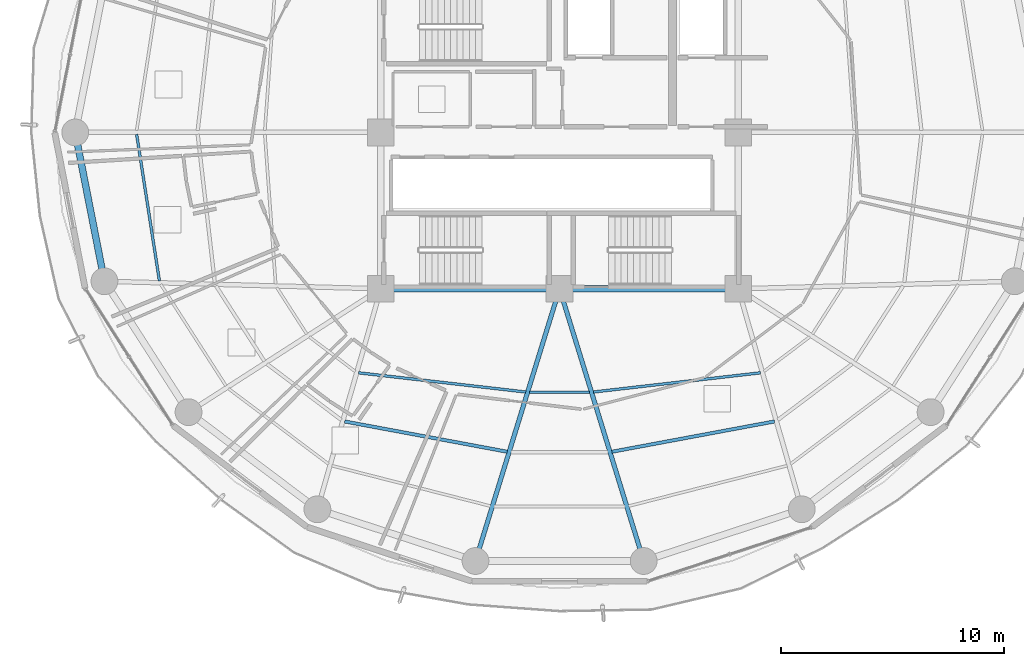
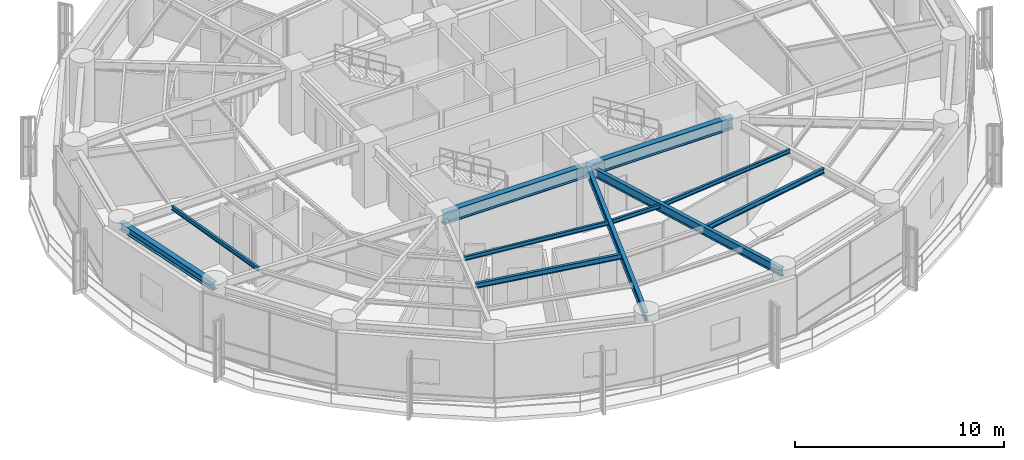
# One storey, part 5 of 27: 11 beams.
"""IFC4 building model written with IfcOpenShell, lengths in metres."""

from ifc_helpers import new_model, si_unit, direction, frame, origin, origin_2d, place, context, subcontext, project, spatial, i_section, extrude, material, material_profile, profile_set, type_object, element, save


model = new_model("IFC4")

# Units and contexts
model_context = context("Model", 3, precision=1e-05, world=origin(), true_north=direction((0.0, 1.0)))
body_context = subcontext(model_context, "Body", "Model", "MODEL_VIEW")
ifc_project = project(units=[si_unit("LENGTHUNIT", "METRE"), si_unit("AREAUNIT", "SQUARE_METRE"), si_unit("VOLUMEUNIT", "CUBIC_METRE"), si_unit("PLANEANGLEUNIT", "RADIAN"), si_unit("MASSUNIT", "GRAM", prefix="KILO")], contexts=[model_context])

# Site, building, storey
site_placement = place(None, origin())
site = spatial("IfcSite", under=ifc_project, at=site_placement, CompositionType="ELEMENT")
building_placement = place(site_placement, origin())
building = spatial("IfcBuilding", under=site, at=building_placement, Name="Kelanora Arch Commons", CompositionType="ELEMENT")
storey_placement = place(building_placement, frame((0.0, 0.0, 146.85009765625)))
storey = spatial("IfcBuildingStorey", under=building, at=storey_placement, Name="L37", CompositionType="ELEMENT", Elevation=146.85009765625)

# Beams
ifc_material = material(Name="Steel S355", Category="steel")
ifc_material_profile_1 = material_profile(ifc_material, i_section(OverallWidth=0.300048828125, OverallDepth=0.699951171875, WebThickness=0.01708984375, FlangeThickness=0.031982421875, FilletRadius=0.027099609375, at=origin_2d()), Name="HEB700")
ifc_profile_set_1 = profile_set([ifc_material_profile_1], Name="Steel S355")
beam_type_1 = type_object("IfcBeamType", Name="BM-CORE-HDR", PredefinedType="BEAM", material=ifc_profile_set_1)
for number, where, z_axis, x_axis, name in (
    (1, (66.0, 51.0, 3.139892578125), (1.0, 0.0, 0.0), (0.0, 1.0, 0.0), "Core Header Beam 01 L37"),
    (2, (74.0, 51.0, 3.139892578125), (1.0, 0.0, 0.0), (0.0, 1.0, 0.0), "Core Header Beam 02 L37"),
):
    element("IfcBeam", number, at=place(storey_placement, frame(where, z_axis=z_axis, x_axis=x_axis)), inside=storey, type_object=beam_type_1, Name=name, PredefinedType="BEAM", context=body_context, shape_type="SweptSolid", body=[
        extrude(i_section(OverallWidth=0.300048828125, OverallDepth=0.699951171875, WebThickness=0.01708984375, FlangeThickness=0.031982421875, FilletRadius=0.027099609375, at=origin_2d()), origin(), (0.0, 0.0, 1.0), 8.0),
    ])
ifc_material_profile_2 = material_profile(ifc_material, i_section(OverallWidth=0.14990234375, OverallDepth=0.300048828125, WebThickness=0.007080078125, FlangeThickness=0.0107421875, FilletRadius=0.014892578125, at=origin_2d()), Name="IPE300")
ifc_profile_set_2 = profile_set([ifc_material_profile_2], Name="Steel S355")
beam_type_2 = type_object("IfcBeamType", Name="BM-JST-01", PredefinedType="JOIST", material=ifc_profile_set_2)
for number, where, z_axis, x_axis, name in (
    (3, (64.379638671875, 45.062255859375, 3.33984375), (0.983054256126, -0.183314837134, 0.0), (0.183314837134, 0.983054256126, 0.0), "Secondary Chord Joist BJB-24 L37"),
    (4, (76.34228515625, 43.705078125, 3.33984375), (0.983054256126, 0.183314837134, 0.0), (-0.183314837134, 0.983054256126, 0.0), "Secondary Chord Joist BJB-28 L37"),
):
    element("IfcBeam", number, at=place(storey_placement, frame(where, z_axis=z_axis, x_axis=x_axis)), inside=storey, type_object=beam_type_2, Name=name, PredefinedType="JOIST", context=body_context, shape_type="SweptSolid", body=[
        extrude(i_section(OverallWidth=0.14990234375, OverallDepth=0.300048828125, WebThickness=0.007080078125, FlangeThickness=0.0107421875, FilletRadius=0.014892578125, at=origin_2d()), origin(), (0.0, 0.0, 1.0), 7.403564453125),
    ])
ifc_material_profile_3 = material_profile(ifc_material, i_section(OverallWidth=0.1201171875, OverallDepth=0.239990234375, WebThickness=0.006103515625, FlangeThickness=0.009765625, FilletRadius=0.014892578125, at=origin_2d()), Name="IPE240")
ifc_profile_set_3 = profile_set([ifc_material_profile_3], Name="Steel S355")
beam_type_3 = type_object("IfcBeamType", Name="BM-JST-02", PredefinedType="JOIST", material=ifc_profile_set_3)
beam_1_placement = place(storey_placement, frame((55.069091796875, 57.916015625, 3.369873046875), z_axis=(0.153562625853, -0.988138917329, 0.0), x_axis=(0.988138917329, 0.153562625853, 0.0)))
element("IfcBeam", 5, at=beam_1_placement, inside=storey, type_object=beam_type_3, Name="Secondary Chord Joist BJC-18 L37", PredefinedType="JOIST", context=body_context, shape_type="SweptSolid", body=[
    extrude(i_section(OverallWidth=0.1201171875, OverallDepth=0.239990234375, WebThickness=0.006103515625, FlangeThickness=0.009765625, FilletRadius=0.014892578125, at=origin_2d()), origin(), (0.0, 0.0, 1.0), 6.640869140625),
])
beam_2_placement = place(storey_placement, frame((65.005126953125, 47.239501953125, 3.369873046875), z_axis=(0.993457414184, -0.114203179475, 0.0), x_axis=(0.114203179475, 0.993457414184, 0.0)))
element("IfcBeam", 6, at=beam_2_placement, inside=storey, type_object=beam_type_3, Name="Secondary Chord Joist BJA-24 L37", PredefinedType="JOIST", context=body_context, shape_type="SweptSolid", body=[
    extrude(i_section(OverallWidth=0.1201171875, OverallDepth=0.239990234375, WebThickness=0.006103515625, FlangeThickness=0.009765625, FilletRadius=0.014892578125, at=origin_2d()), origin(), (0.0, 0.0, 1.0), 7.529296875),
])
beam_3_placement = place(storey_placement, frame((72.654296875, 46.3701171875, 3.369873046875), z_axis=(1.0, 0.0, 0.0), x_axis=(0.0, 1.0, 0.0)))
element("IfcBeam", 7, at=beam_3_placement, inside=storey, type_object=beam_type_3, Name="Secondary Chord Joist BJA-26 L37", PredefinedType="JOIST", context=body_context, shape_type="SweptSolid", body=[
    extrude(i_section(OverallWidth=0.1201171875, OverallDepth=0.239990234375, WebThickness=0.006103515625, FlangeThickness=0.009765625, FilletRadius=0.014892578125, at=origin_2d()), origin(), (0.0, 0.0, 1.0), 2.69140625),
])
beam_4_placement = place(storey_placement, frame((75.514892578125, 46.379638671875, 3.369873046875), z_axis=(0.993457414184, 0.114203179475, 0.0), x_axis=(-0.114203179475, 0.993457414184, 0.0)))
element("IfcBeam", 8, at=beam_4_placement, inside=storey, type_object=beam_type_3, Name="Secondary Chord Joist BJA-28 L37", PredefinedType="JOIST", context=body_context, shape_type="SweptSolid", body=[
    extrude(i_section(OverallWidth=0.1201171875, OverallDepth=0.239990234375, WebThickness=0.006103515625, FlangeThickness=0.009765625, FilletRadius=0.014892578125, at=origin_2d()), origin(), (0.0, 0.0, 1.0), 7.529296875),
])
ifc_material_profile_4 = material_profile(ifc_material, i_section(OverallWidth=0.199951171875, OverallDepth=0.5, WebThickness=0.01025390625, FlangeThickness=0.01611328125, FilletRadius=0.02099609375, at=origin_2d()), Name="IPE500")
ifc_profile_set_4 = profile_set([ifc_material_profile_4], Name="Steel S355")
beam_type_4 = type_object("IfcBeamType", Name="BM-RAD-Z3", PredefinedType="BEAM", material=ifc_profile_set_4)
for number, where, z_axis, x_axis, name in (
    (9, (74.0, 51.0, 3.239990234375), (-0.295210315095, -0.955432294755, 0.0), (0.955432294755, -0.295210315095, 0.0), "Radial Floor Girder BR-26 L37"),
    (10, (74.0, 51.0, 3.239990234375), (0.295210315095, -0.955432294755, 0.0), (0.955432294755, 0.295210315095, 0.0), "Radial Floor Girder BR-28 L37"),
):
    element("IfcBeam", number, at=place(storey_placement, frame(where, z_axis=z_axis, x_axis=x_axis)), inside=storey, type_object=beam_type_4, Name=name, PredefinedType="BEAM", context=body_context, shape_type="SweptSolid", body=[
        extrude(i_section(OverallWidth=0.199951171875, OverallDepth=0.5, WebThickness=0.01025390625, FlangeThickness=0.01611328125, FilletRadius=0.02099609375, at=origin_2d()), origin(), (0.0, 0.0, 1.0), 12.75244140625),
    ])
ifc_material_profile_5 = material_profile(ifc_material, i_section(OverallWidth=0.300048828125, OverallDepth=0.449951171875, WebThickness=0.013916015625, FlangeThickness=0.02587890625, FilletRadius=0.027099609375, at=origin_2d()), Name="HEB450")
ifc_profile_set_5 = profile_set([ifc_material_profile_5], Name="Steel S355")
beam_type_5 = type_object("IfcBeamType", Name="BM-SPN-Z3", PredefinedType="SPANDREL", material=ifc_profile_set_5)
beam_5_placement = place(storey_placement, frame((52.320068359375, 58.0, 3.264892578125), z_axis=(0.192553643556, -0.981286448675, 0.0), x_axis=(0.981286448675, 0.192553643556, 0.0)))
element("IfcBeam", 11, at=beam_5_placement, inside=storey, type_object=beam_type_5, Name="Perimeter Spandrel Beam BS-18 L37", PredefinedType="SPANDREL", context=body_context, shape_type="SweptSolid", body=[
    extrude(i_section(OverallWidth=0.300048828125, OverallDepth=0.449951171875, WebThickness=0.013916015625, FlangeThickness=0.02587890625, FilletRadius=0.027099609375, at=origin_2d()), origin(), (0.0, 0.0, 1.0), 6.78955078125),
])

save(model, "model.ifc")
